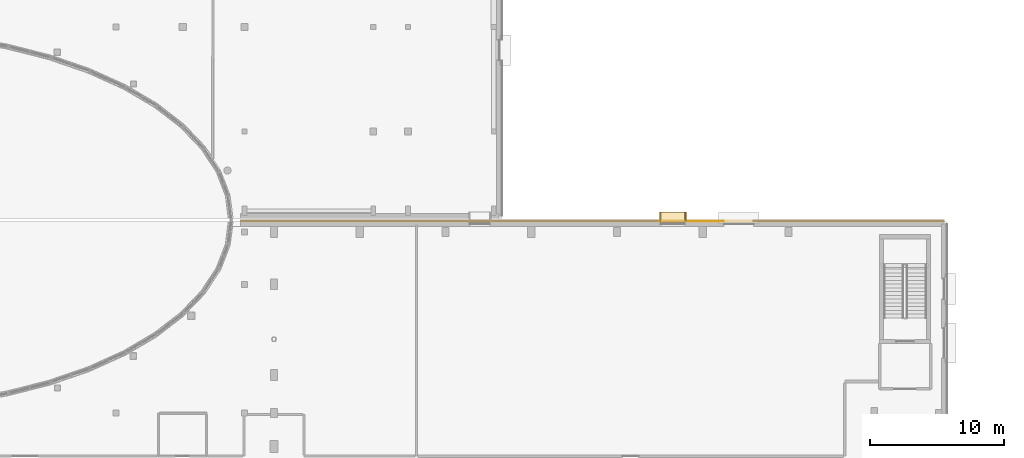
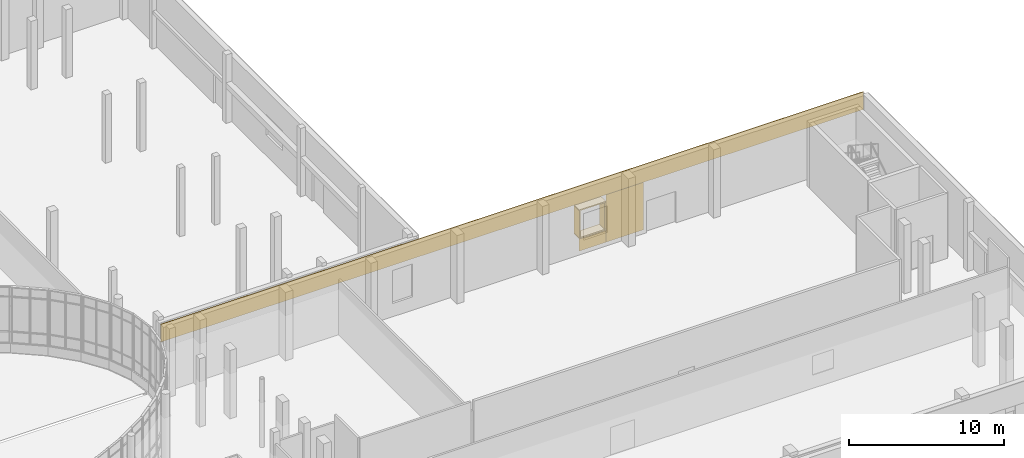
# One storey, part 82 of 84: 7 coverings.
"""IFC4 building model written with IfcOpenShell, lengths in metres."""

from ifc_helpers import new_model, si_unit, direction, frame, origin, origin_2d, place, context, subcontext, project, spatial, rectangle, extrude, material, layer, layer_set, type_object, element, save


model = new_model("IFC4")

# Units and contexts
model_context = context("Model", 3, precision=1e-05, world=origin(), true_north=direction((0.0, 1.0)))
body_context = subcontext(model_context, "Body", "Model", "MODEL_VIEW")
ifc_project = project(units=[si_unit("LENGTHUNIT", "METRE"), si_unit("AREAUNIT", "SQUARE_METRE"), si_unit("VOLUMEUNIT", "CUBIC_METRE"), si_unit("PLANEANGLEUNIT", "RADIAN"), si_unit("MASSUNIT", "GRAM", prefix="KILO")], contexts=[model_context])

# Site, building, storey
site_placement = place(None, origin())
site = spatial("IfcSite", under=ifc_project, at=site_placement, CompositionType="ELEMENT")
building_placement = place(site_placement, origin())
building = spatial("IfcBuilding", under=site, at=building_placement, Name="Mzevani Central Library", CompositionType="ELEMENT")
storey_placement = place(building_placement, origin())
storey = spatial("IfcBuildingStorey", under=building, at=storey_placement, Name="L00", CompositionType="ELEMENT", Elevation=0.0)

# Coverings
ifc_material = material(Name="Limestone ashlar cladding", Category="masonry")
ifc_layer = layer(ifc_material, 0.050048828125, Name="Limestone Ashlar Spandrel Cladding")
ifc_layer_set = layer_set([ifc_layer], Name="Limestone ashlar cladding")
covering_type = type_object("IfcCoveringType", Name="Limestone Ashlar Spandrel Cladding", PredefinedType="CLADDING", material=ifc_layer_set)
for number, where, z_axis, x_axis, name in (
    (1, (143.963623046875, 76.238037109375, 3.14990234375), (0.0, 0.0, 1.0), (1.0, 0.0, 0.0), "L00 Deep Window Reveal HD (REV4-0041)"),
    (2, (143.963623046875, 76.238037109375, 0.9599609375), (0.0, 0.0, 1.0), (1.0, 0.0, 0.0), "L00 Deep Window Reveal SL (REV4-0041)"),
):
    element("IfcCovering", number, at=place(storey_placement, frame(where, z_axis=z_axis, x_axis=x_axis)), inside=storey, type_object=covering_type, Name=name, PredefinedType="CLADDING", context=body_context, shape_type="SweptSolid", body=[
        extrude(rectangle(XDim=1.97998046875, YDim=0.679931640625, at=origin_2d()), origin(), (0.0, 0.0, 1.0), 0.090087890625),
    ])
for number, where, z_axis, x_axis, name in (
    (3, (143.018798828125, 76.238037109375, 1.050048828125), (0.0, 0.0, 1.0), (1.0, 0.0, 0.0), "L00 Deep Window Reveal JL (REV4-0041)"),
    (4, (144.90869140625, 76.238037109375, 1.050048828125), (0.0, 0.0, 1.0), (1.0, 0.0, 0.0), "L00 Deep Window Reveal JR (REV4-0041)"),
):
    element("IfcCovering", number, at=place(storey_placement, frame(where, z_axis=z_axis, x_axis=x_axis)), inside=storey, type_object=covering_type, Name=name, PredefinedType="CLADDING", context=body_context, shape_type="SweptSolid", body=[
        extrude(rectangle(XDim=0.090087890625, YDim=0.679931640625, at=origin_2d()), origin(), (0.0, 0.0, 1.0), 2.10009765625),
    ])
covering_1_placement = place(storey_placement, frame((137.96533203125, 75.924072265625, 3.75), z_axis=(0.0, 0.0, 1.0), x_axis=(1.0, 0.0, 0.0)))
element("IfcCovering", 5, at=covering_1_placement, inside=storey, type_object=covering_type, Name="L00 Warm-White Facade Spandrel (EW4-V1-L00-0005)", PredefinedType="CLADDING", context=body_context, shape_type="SweptSolid", body=[
    extrude(rectangle(XDim=52.44921875, YDim=0.050048828125, at=origin_2d()), origin(), (0.0, 0.0, 1.0), 1.389892578125),
])
covering_2_placement = place(storey_placement, frame((143.963623046875, 75.924072265625, 0.0), z_axis=(0.0, 0.0, 1.0), x_axis=(1.0, 0.0, 0.0)))
element("IfcCovering", 6, at=covering_2_placement, inside=storey, type_object=covering_type, Name="L00 Warm-White Sill Cladding 4 (EW4-V1-L00-0005)", PredefinedType="CLADDING", context=body_context, shape_type="SweptSolid", body=[
    extrude(rectangle(XDim=2.0, YDim=0.050048828125, at=origin_2d()), origin(), (0.0, 0.0, 1.0), 0.949951171875),
])
covering_3_placement = place(storey_placement, frame((146.376220703125, 75.924072265625, 0.0), z_axis=(0.0, 0.0, 1.0), x_axis=(1.0, 0.0, 0.0)))
element("IfcCovering", 7, at=covering_3_placement, inside=storey, type_object=covering_type, Name="L00 Warm-White Facade Pier 5 (EW4-V1-L00-0005)", PredefinedType="CLADDING", context=body_context, shape_type="SweptSolid", body=[
    extrude(rectangle(XDim=2.784912109375, YDim=0.050048828125, at=origin_2d()), origin(), (0.0, 0.0, 1.0), 3.75),
])

save(model, "model.ifc")
